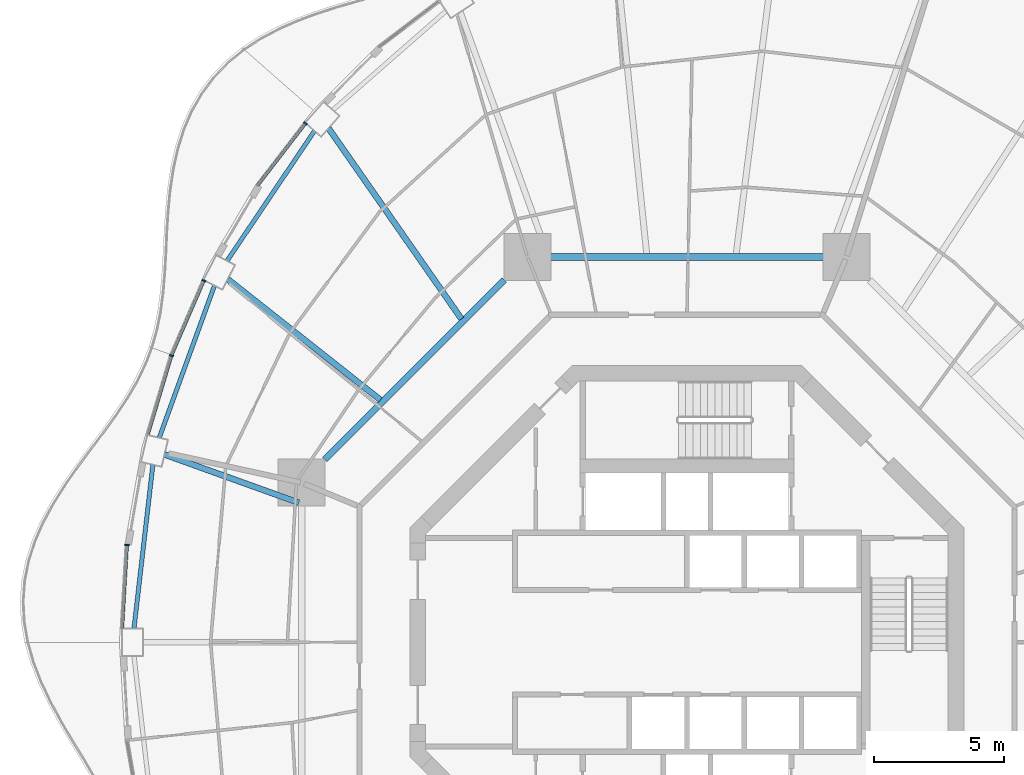
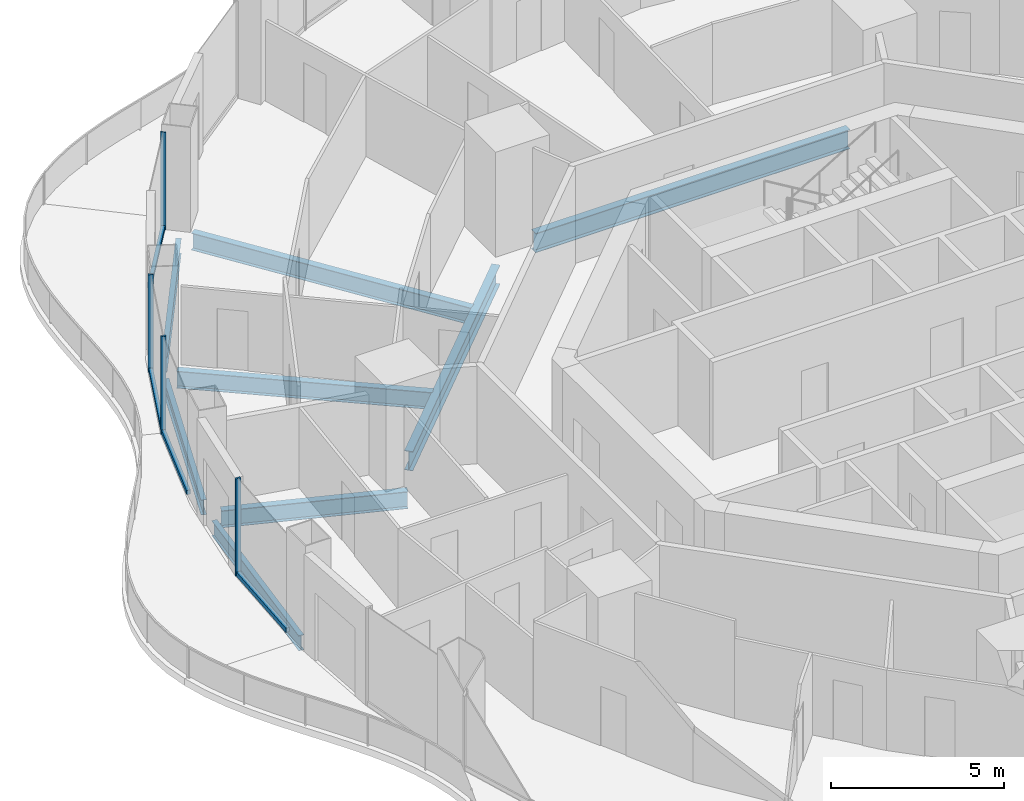
# One storey, part 6 of 19: 8 beams, 8 members, 4 elements without a shape of their own.
"""IFC4 building model written with IfcOpenShell, lengths in metres."""

from ifc_helpers import new_model, si_unit, direction, frame, origin, origin_2d, place, context, subcontext, project, spatial, rectangle, i_section, extrude, material, layer, layer_set, material_profile, profile_set, type_object, element, aggregate, save


model = new_model("IFC4")

# Units and contexts
model_context = context("Model", 3, precision=1e-05, world=origin(), true_north=direction((0.0, 1.0)))
body_context = subcontext(model_context, "Body", "Model", "MODEL_VIEW")
ifc_project = project(units=[si_unit("LENGTHUNIT", "METRE"), si_unit("AREAUNIT", "SQUARE_METRE"), si_unit("VOLUMEUNIT", "CUBIC_METRE"), si_unit("PLANEANGLEUNIT", "RADIAN"), si_unit("MASSUNIT", "GRAM", prefix="KILO")], contexts=[model_context])

# Site, building, storey
site_placement = place(None, origin())
site = spatial("IfcSite", under=ifc_project, at=site_placement, CompositionType="ELEMENT")
building_placement = place(site_placement, origin())
building = spatial("IfcBuilding", under=site, at=building_placement, Name="Nagisa Residences", CompositionType="ELEMENT")
storey_placement = place(building_placement, frame((0.0, 0.0, 169.60009765625)))
storey = spatial("IfcBuildingStorey", under=building, at=storey_placement, Name="L42", CompositionType="ELEMENT", Elevation=169.60009765625)

# Curtain wall, member
ifc_material_1 = material(Name="Concrete-coloured aluminium curtain wall system", Category="concrete")
ifc_layer = layer(ifc_material_1, 0.159912109375)
ifc_layer_set = layer_set([ifc_layer], Name="CW1 CURTAIN WALL")
curtain_wall_type = type_object("IfcCurtainWallType", Name="CW1 CURTAIN WALL", PredefinedType="NOTDEFINED", material=ifc_layer_set)
curtain_wall_1_placement = place(storey_placement, origin())
curtain_wall_1 = element("IfcCurtainWall", 1, at=curtain_wall_1_placement, inside=storey, type_object=curtain_wall_type, Name="cw:CW1:L42:18", PredefinedType="NOTDEFINED")
ifc_material_2 = material(Name="Concrete-coloured aluminium", Category="concrete")
ifc_material_profile_1 = material_profile(ifc_material_2, rectangle(XDim=0.159912109375, YDim=0.06005859375, at=origin_2d()), Name="CW1 MULLION 160x60")
ifc_profile_set_1 = profile_set([ifc_material_profile_1], Name="Concrete-coloured aluminium")
member_type_1 = type_object("IfcMemberType", Name="CW1 MULLION 160x60", PredefinedType="MULLION", material=ifc_profile_set_1)
member_1_placement = place(storey_placement, frame((-14.633544921875, 19.909423828125, 0.0), z_axis=(0.0, 0.0, 1.0), x_axis=(0.792070340816, -0.610429828235, 0.0)))
member_1 = element("IfcMember", 2, at=member_1_placement, type_object=member_type_1, Name="CW1 mullion", PredefinedType="MULLION", context=body_context, shape_type="SweptSolid", body=[
    extrude(rectangle(XDim=0.159912109375, YDim=0.06005859375, at=origin_2d()), origin(), (0.0, 0.0, 1.0), 3.43994140625),
])

curtain_wall_2_placement = place(storey_placement, origin())
curtain_wall_2 = element("IfcCurtainWall", 3, at=curtain_wall_2_placement, inside=storey, type_object=curtain_wall_type, Name="cw:CW1:L42:20", PredefinedType="NOTDEFINED")
member_2_placement = place(storey_placement, frame((-18.53271484375, 13.87353515625, 0.0), z_axis=(0.0, 0.0, 1.0), x_axis=(0.917543276295, -0.397635934147, 0.0)))
member_2 = element("IfcMember", 4, at=member_2_placement, type_object=member_type_1, Name="CW1 mullion", PredefinedType="MULLION", context=body_context, shape_type="SweptSolid", body=[
    extrude(rectangle(XDim=0.159912109375, YDim=0.06005859375, at=origin_2d()), origin(), (0.0, 0.0, 1.0), 3.43994140625),
])

curtain_wall_3_placement = place(storey_placement, origin())
curtain_wall_3 = element("IfcCurtainWall", 5, at=curtain_wall_3_placement, inside=storey, type_object=curtain_wall_type, Name="cw:CW1:L42:21", PredefinedType="NOTDEFINED")
member_3_placement = place(storey_placement, frame((-19.775390625, 10.998291015625, 0.0), z_axis=(0.0, 0.0, 1.0), x_axis=(0.958271310082, -0.285860274038, 0.0)))
member_3 = element("IfcMember", 6, at=member_3_placement, type_object=member_type_1, Name="CW1 mullion", PredefinedType="MULLION", context=body_context, shape_type="SweptSolid", body=[
    extrude(rectangle(XDim=0.159912109375, YDim=0.06005859375, at=origin_2d()), origin(), (0.0, 0.0, 1.0), 3.43994140625),
])

curtain_wall_4_placement = place(storey_placement, origin())
curtain_wall_4 = element("IfcCurtainWall", 7, at=curtain_wall_4_placement, inside=storey, type_object=curtain_wall_type, Name="cw:CW1:L42:23", PredefinedType="NOTDEFINED")
member_4_placement = place(storey_placement, frame((-21.479736328125, 3.734375, 0.0), z_axis=(0.0, 0.0, 1.0), x_axis=(0.998345305184, -0.057503492216, 0.0)))
member_4 = element("IfcMember", 8, at=member_4_placement, type_object=member_type_1, Name="CW1 mullion", PredefinedType="MULLION", context=body_context, shape_type="SweptSolid", body=[
    extrude(rectangle(XDim=0.159912109375, YDim=0.06005859375, at=origin_2d()), origin(), (0.0, 0.0, 1.0), 3.43994140625),
])

# Member
ifc_material_3 = material(Name="Concrete-coloured aluminium", Category="concrete")
ifc_material_profile_2 = material_profile(ifc_material_3, rectangle(XDim=0.1201171875, YDim=0.14990234375, at=origin_2d()), Name="CW1 TRANSOM 120x150")
ifc_profile_set_2 = profile_set([ifc_material_profile_2], Name="Concrete-coloured aluminium")
member_type_2 = type_object("IfcMemberType", Name="CW1 TRANSOM 120x150", PredefinedType="USERDEFINED", material=ifc_profile_set_2)
member_5_placement = place(storey_placement, frame((-14.615234375, 19.933349609375, 0.074951171875), z_axis=(-0.610398538814, -0.792094453846, 0.0), x_axis=(0.792094453846, -0.610398538814, 0.0)))
member_5 = element("IfcMember", 9, at=member_5_placement, type_object=member_type_2, Name="CW1 transom", ObjectType="TRANSOM", PredefinedType="USERDEFINED", context=body_context, shape_type="SweptSolid", body=[
    extrude(rectangle(XDim=0.1201171875, YDim=0.14990234375, at=origin_2d()), origin(), (0.0, 0.0, 1.0), 3.035400390625),
])

aggregate(curtain_wall_1, [member_1, member_5])

member_6_placement = place(storey_placement, frame((-18.520751953125, 13.901123046875, 0.074951171875), z_axis=(-0.397592173732, -0.917562239517, 0.0), x_axis=(0.917562239517, -0.397592173732, 0.0)))
member_6 = element("IfcMember", 10, at=member_6_placement, type_object=member_type_2, Name="CW1 transom", ObjectType="TRANSOM", PredefinedType="USERDEFINED", context=body_context, shape_type="SweptSolid", body=[
    extrude(rectangle(XDim=0.1201171875, YDim=0.14990234375, at=origin_2d()), origin(), (0.0, 0.0, 1.0), 3.14208984375),
])

aggregate(curtain_wall_2, [member_2, member_6])

member_7_placement = place(storey_placement, frame((-19.766845703125, 11.027099609375, 0.074951171875), z_axis=(-0.28584838049, -0.958274857946, 0.0), x_axis=(0.958274857946, -0.28584838049, 0.0)))
member_7 = element("IfcMember", 11, at=member_7_placement, type_object=member_type_2, Name="CW1 transom", ObjectType="TRANSOM", PredefinedType="USERDEFINED", context=body_context, shape_type="SweptSolid", body=[
    extrude(rectangle(XDim=0.1201171875, YDim=0.14990234375, at=origin_2d()), origin(), (0.0, 0.0, 1.0), 3.182373046875),
])

aggregate(curtain_wall_3, [member_3, member_7])

member_8_placement = place(storey_placement, frame((-21.47802734375, 3.764404296875, 0.074951171875), z_axis=(-0.057528345118, -0.998343873376, 0.0), x_axis=(0.998343873376, -0.057528345118, 0.0)))
member_8 = element("IfcMember", 12, at=member_8_placement, type_object=member_type_2, Name="CW1 transom", ObjectType="TRANSOM", PredefinedType="USERDEFINED", context=body_context, shape_type="SweptSolid", body=[
    extrude(rectangle(XDim=0.1201171875, YDim=0.14990234375, at=origin_2d()), origin(), (0.0, 0.0, 1.0), 3.225341796875),
])

aggregate(curtain_wall_4, [member_4, member_8])

# Beams
ifc_material_4 = material(Name="Steel ASTM A572 Gr 50", Category="steel")
ifc_material_profile_3 = material_profile(ifc_material_4, i_section(OverallWidth=0.25390625, OverallDepth=0.68408203125, WebThickness=0.012451171875, FlangeThickness=0.018798828125, at=origin_2d()), Name="W690x140")
ifc_profile_set_3 = profile_set([ifc_material_profile_3], Name="Steel ASTM A572 Gr 50")
beam_type_1 = type_object("IfcBeamType", Name="Inner ring beam W690x140", PredefinedType="BEAM", material=ifc_profile_set_3)
beam_1_placement = place(storey_placement, frame((5.242919921875, 14.781982421875, -0.60205078125), z_axis=(-1.0, 0.0, 0.0), x_axis=(0.0, -1.0, 0.0)))
element("IfcBeam", 13, at=beam_1_placement, inside=storey, type_object=beam_type_1, Name="beam:L42:ib2", PredefinedType="BEAM", context=body_context, shape_type="SweptSolid", body=[
    extrude(i_section(OverallWidth=0.25390625, OverallDepth=0.68408203125, WebThickness=0.012451171875, FlangeThickness=0.018798828125, at=origin_2d()), origin(), (0.0, 0.0, 1.0), 10.48583984375),
])
beam_2_placement = place(storey_placement, frame((-7.0087890625, 13.896240234375, -0.60205078125), z_axis=(-0.707106781187, -0.707106781187, 0.0), x_axis=(0.707106781187, -0.707106781187, 0.0)))
element("IfcBeam", 14, at=beam_2_placement, inside=storey, type_object=beam_type_1, Name="beam:L42:ib3", PredefinedType="BEAM", context=body_context, shape_type="SweptSolid", body=[
    extrude(i_section(OverallWidth=0.25390625, OverallDepth=0.68408203125, WebThickness=0.012451171875, FlangeThickness=0.018798828125, at=origin_2d()), origin(), (0.0, 0.0, 1.0), 9.740234375),
])
ifc_material_5 = material(Name="Steel ASTM A572 Gr 50", Category="steel")
ifc_material_profile_4 = material_profile(ifc_material_5, i_section(OverallWidth=0.166015625, OverallDepth=0.534912109375, WebThickness=0.01025390625, FlangeThickness=0.0166015625, at=origin_2d()), Name="W530x85")
ifc_profile_set_4 = profile_set([ifc_material_profile_4], Name="Steel ASTM A572 Gr 50")
beam_type_2 = type_object("IfcBeamType", Name="Perimeter ring beam W530x85", PredefinedType="BEAM", material=ifc_profile_set_4)
beam_3_placement = place(storey_placement, frame((-14.28759765625, 19.62060546875, -0.527587890625), z_axis=(-0.558152301307, -0.829738518177, 0.0), x_axis=(0.829738518177, -0.558152301307, 0.0)))
element("IfcBeam", 15, at=beam_3_placement, inside=storey, type_object=beam_type_2, Name="beam:L42:pb10", PredefinedType="BEAM", context=body_context, shape_type="SweptSolid", body=[
    extrude(i_section(OverallWidth=0.166015625, OverallDepth=0.534912109375, WebThickness=0.01025390625, FlangeThickness=0.0166015625, at=origin_2d()), origin(), (0.0, 0.0, 1.0), 6.013916015625),
])
beam_4_placement = place(storey_placement, frame((-18.124755859375, 13.685546875, -0.527587890625), z_axis=(-0.341285525681, -0.939959674646, 0.0), x_axis=(0.939959674646, -0.341285525681, 0.0)))
element("IfcBeam", 16, at=beam_4_placement, inside=storey, type_object=beam_type_2, Name="beam:L42:pb11", PredefinedType="BEAM", context=body_context, shape_type="SweptSolid", body=[
    extrude(i_section(OverallWidth=0.166015625, OverallDepth=0.534912109375, WebThickness=0.01025390625, FlangeThickness=0.0166015625, at=origin_2d()), origin(), (0.0, 0.0, 1.0), 6.212890625),
])
beam_5_placement = place(storey_placement, frame((-20.488525390625, 6.813720703125, -0.527587890625), z_axis=(-0.114670987431, -0.993403525583, 0.0), x_axis=(0.993403525583, -0.114670987431, 0.0)))
element("IfcBeam", 17, at=beam_5_placement, inside=storey, type_object=beam_type_2, Name="beam:L42:pb12", PredefinedType="BEAM", context=body_context, shape_type="SweptSolid", body=[
    extrude(i_section(OverallWidth=0.166015625, OverallDepth=0.534912109375, WebThickness=0.01025390625, FlangeThickness=0.0166015625, at=origin_2d()), origin(), (0.0, 0.0, 1.0), 6.325439453125),
])
ifc_material_6 = material(Name="Steel ASTM A572 Gr 50", Category="steel")
ifc_material_profile_5 = material_profile(ifc_material_6, i_section(OverallWidth=0.22802734375, OverallDepth=0.60302734375, WebThickness=0.010498046875, FlangeThickness=0.014892578125, at=origin_2d()), Name="W610x101")
ifc_profile_set_5 = profile_set([ifc_material_profile_5], Name="Steel ASTM A572 Gr 50")
beam_type_3 = type_object("IfcBeamType", Name="Radial beam W610x101", PredefinedType="BEAM", material=ifc_profile_set_5)
beam_6_placement = place(storey_placement, frame((-13.75048828125, 19.7216796875, -0.5615234375), z_axis=(0.571934479253, -0.82029930601, 0.0), x_axis=(0.82029930601, 0.571934479253, 0.0)))
element("IfcBeam", 18, at=beam_6_placement, inside=storey, type_object=beam_type_3, Name="beam:L42:rb10", PredefinedType="BEAM", context=body_context, shape_type="SweptSolid", body=[
    extrude(i_section(OverallWidth=0.22802734375, OverallDepth=0.60302734375, WebThickness=0.010498046875, FlangeThickness=0.014892578125, at=origin_2d()), origin(), (0.0, 0.0, 1.0), 8.917724609375),
])
beam_7_placement = place(storey_placement, frame((-17.617919921875, 13.930908203125, -0.5615234375), z_axis=(0.784411523752, -0.620240728593, 0.0), x_axis=(0.620240728593, 0.784411523752, 0.0)))
element("IfcBeam", 19, at=beam_7_placement, inside=storey, type_object=beam_type_3, Name="beam:L42:rb11", PredefinedType="BEAM", context=body_context, shape_type="SweptSolid", body=[
    extrude(i_section(OverallWidth=0.22802734375, OverallDepth=0.60302734375, WebThickness=0.010498046875, FlangeThickness=0.014892578125, at=origin_2d()), origin(), (0.0, 0.0, 1.0), 7.4697265625),
])
beam_8_placement = place(storey_placement, frame((-20.043701171875, 7.2060546875, -0.5615234375), z_axis=(0.941032808963, -0.338315315137, 0.0), x_axis=(0.338315315137, 0.941032808963, 0.0)))
element("IfcBeam", 20, at=beam_8_placement, inside=storey, type_object=beam_type_3, Name="beam:L42:rb12", PredefinedType="BEAM", context=body_context, shape_type="SweptSolid", body=[
    extrude(i_section(OverallWidth=0.22802734375, OverallDepth=0.60302734375, WebThickness=0.010498046875, FlangeThickness=0.014892578125, at=origin_2d()), origin(), (0.0, 0.0, 1.0), 5.4765625),
])

save(model, "model.ifc")
